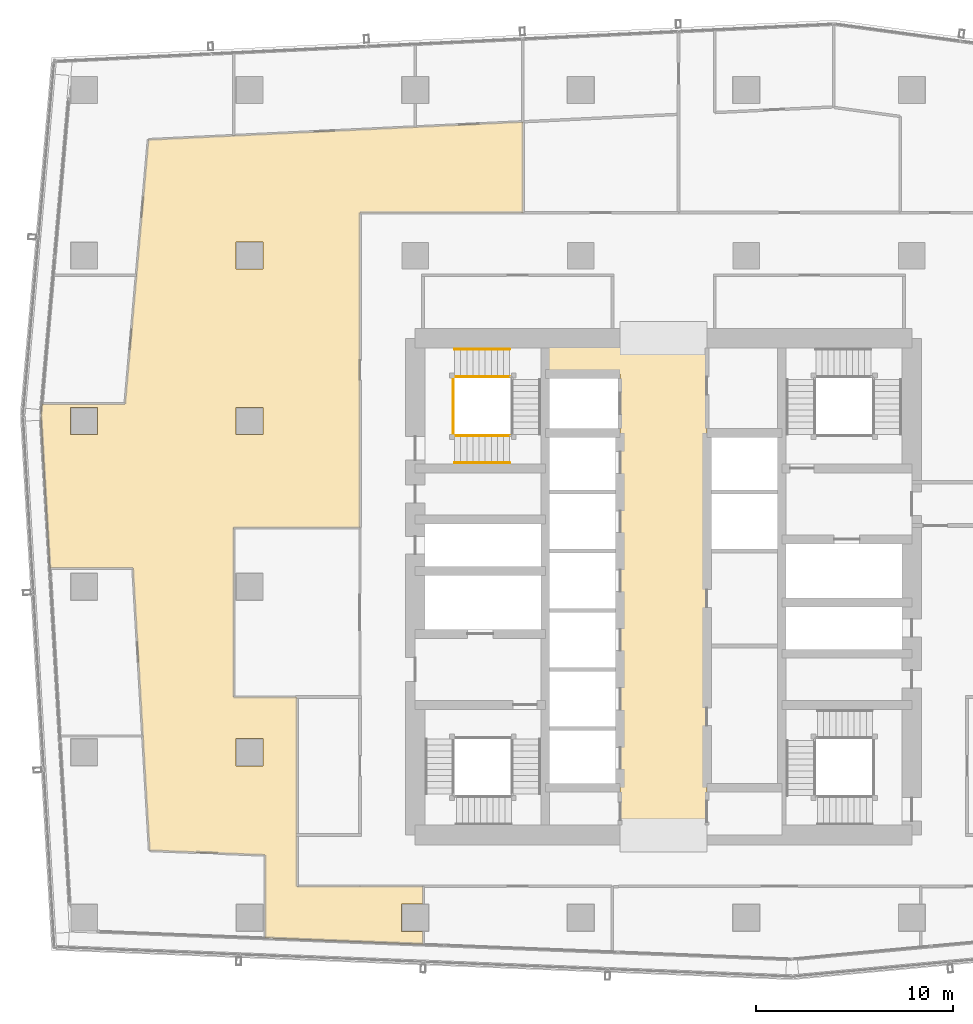
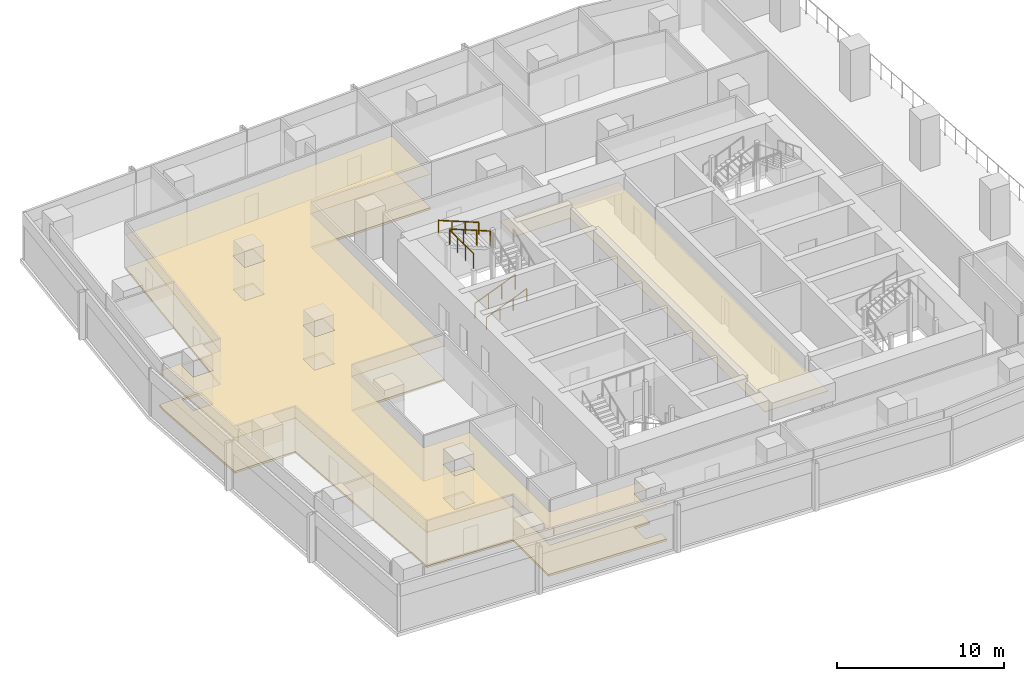
# One storey, part 29 of 33: 5 railings, 3 coverings.
"""IFC4 building model written with IfcOpenShell, lengths in metres."""

from ifc_helpers import new_model, si_unit, direction, frame, origin, origin_2d, place, context, subcontext, project, spatial, polyline, circle, outline, extrude, material, layer, layer_set, type_object, element, save


model = new_model("IFC4")

# Units and contexts
model_context = context("Model", 3, precision=1e-05, world=origin(), true_north=direction((0.0, 1.0)))
body_context = subcontext(model_context, "Body", "Model", "MODEL_VIEW")
ifc_project = project(units=[si_unit("LENGTHUNIT", "METRE"), si_unit("AREAUNIT", "SQUARE_METRE"), si_unit("VOLUMEUNIT", "CUBIC_METRE"), si_unit("PLANEANGLEUNIT", "RADIAN"), si_unit("MASSUNIT", "GRAM", prefix="KILO")], contexts=[model_context])

# Site, building, storey
site_placement = place(None, origin())
site = spatial("IfcSite", under=ifc_project, at=site_placement, CompositionType="ELEMENT")
building_placement = place(site_placement, origin())
building = spatial("IfcBuilding", under=site, at=building_placement, Name="Rekha Terrace Tower", CompositionType="ELEMENT")
storey_placement = place(building_placement, frame((0.0, 0.0, 206.449951171875)))
storey = spatial("IfcBuildingStorey", under=building, at=storey_placement, Name="L52", CompositionType="ELEMENT", Elevation=206.449951171875)

# Coverings
ifc_material_1 = material(Name="Mineral fibre tile in exposed grid", Category="finish")
ifc_layer_1 = layer(ifc_material_1, 0.02001953125)
ifc_layer_set_1 = layer_set([ifc_layer_1], Name="Mineral fibre tile in exposed grid")
covering_type_1 = type_object("IfcCoveringType", Name="CL1 600x1200 office grid ceiling", PredefinedType="CEILING", material=ifc_layer_set_1)
covering_1_placement = place(storey_placement, frame((0.0, 0.0, 2.580078125)))
element("IfcCovering", 1, at=covering_1_placement, inside=storey, type_object=covering_type_1, Name="Ceiling L52-O2", PredefinedType="CEILING", context=body_context, shape_type="SweptSolid", body=[
    extrude(outline(polyline([(11.662109375, 56.280029296875), (11.054931640625, 49.40087890625), (10.47900390625, 42.87109375), (6.261962890625, 42.87109375), (6.212890625, 42.31396484375), (6.6708984375, 34.535888671875), (10.8779296875, 34.535888671875), (11.3798828125, 26.008056640625), (11.720947265625, 20.216064453125), (17.5849609375, 19.98193359375), (17.5849609375, 15.779052734375), (25.60107421875, 15.458984375), (25.60107421875, 16.110107421875), (24.510009765625, 16.110107421875), (24.510009765625, 17.489990234375), (25.60107421875, 17.489990234375), (25.60107421875, 18.39990234375), (19.199951171875, 18.39990234375), (19.199951171875, 28.0), (15.989013671875, 28.0), (15.989013671875, 36.59912109375), (22.39990234375, 36.59912109375), (22.39990234375, 52.574951171875), (30.660888671875, 52.574951171875), (30.660888671875, 57.18798828125), (25.181884765625, 56.926025390625), (15.97412109375, 56.486083984375), (11.662109375, 56.280029296875)]), holes=[polyline([(17.489990234375, 24.510009765625), (16.110107421875, 24.510009765625), (16.110107421875, 25.889892578125), (17.489990234375, 25.889892578125), (17.489990234375, 24.510009765625)]), polyline([(17.489990234375, 42.68994140625), (17.489990234375, 41.31005859375), (16.110107421875, 41.31005859375), (16.110107421875, 42.68994140625), (17.489990234375, 42.68994140625)]), polyline([(17.489990234375, 51.090087890625), (17.489990234375, 49.7099609375), (16.110107421875, 49.7099609375), (16.110107421875, 51.090087890625), (17.489990234375, 51.090087890625)]), polyline([(9.090087890625, 41.31005859375), (7.7099609375, 41.31005859375), (7.7099609375, 42.68994140625), (9.090087890625, 42.68994140625), (9.090087890625, 41.31005859375)])]), origin(), (0.0, 0.0, 1.0), 0.02001953125),
])
ifc_material_2 = material(Name="Powder-coated aluminium pan", Category="aluminium")
ifc_layer_2 = layer(ifc_material_2, 0.030029296875)
ifc_layer_set_2 = layer_set([ifc_layer_2], Name="Powder-coated aluminium pan")
covering_type_2 = type_object("IfcCoveringType", Name="CL3 300x1200 metal pan ceiling", PredefinedType="CEILING", material=ifc_layer_set_2)
covering_2_placement = place(storey_placement, frame((0.0, 0.0, 2.570068359375)))
element("IfcCovering", 2, at=covering_2_placement, inside=storey, type_object=covering_type_2, Name="Ceiling L52-LOBBY", PredefinedType="CEILING", context=body_context, shape_type="SweptSolid", body=[
    extrude(outline(polyline([(35.60009765625, 44.39990234375), (35.60009765625, 21.0), (40.0, 21.0), (40.0, 46.199951171875), (31.800048828125, 46.199951171875), (31.800048828125, 44.39990234375), (35.60009765625, 44.39990234375)])), origin(), (0.0, 0.0, 1.0), 0.030029296875),
])

# Railings
ifc_material_3 = material(Name="Stainless steel balustrade", Category="steel")
railing_type_1 = type_object("IfcRailingType", Name="GR1 1100 stair guard", PredefinedType="GUARDRAIL", material=ifc_material_3)
railing_1_placement = place(storey_placement, frame((27.199951171875, 41.264892578125, 0.125)))
element("IfcRailing", 3, at=railing_1_placement, inside=storey, type_object=railing_type_1, Name="Guard ST4 L52 flight 1", PredefinedType="GUARDRAIL", context=body_context, shape_type="SweptSolid", body=[
    extrude(circle(Radius=0.02392578125, at=origin_2d()), frame((0.0, 0.0, 1.076171875), z_axis=(0.927443287984, 0.0, 0.373963831907), x_axis=(0.0, 1.0, 0.0)), (0.0, 0.0, 1.0), 3.00830078125),
    extrude(circle(Radius=0.02099609375, at=origin_2d()), origin(), (0.0, 0.0, 1.0), 1.052001953125),
    extrude(circle(Radius=0.02099609375, at=origin_2d()), frame((0.929931640625, 0.0, 0.375)), (0.0, 0.0, 1.0), 1.052001953125),
    extrude(circle(Radius=0.02099609375, at=origin_2d()), frame((1.860107421875, 0.0, 0.75)), (0.0, 0.0, 1.0), 1.052001953125),
    extrude(circle(Radius=0.02099609375, at=origin_2d()), frame((2.7900390625, 0.0, 1.125)), (0.0, 0.0, 1.0), 1.052001953125),
])
railing_2_placement = place(storey_placement, frame((29.989990234375, 44.260009765625, 2.625)))
element("IfcRailing", 4, at=railing_2_placement, inside=storey, type_object=railing_type_1, Name="Guard ST4 L52 flight 3", PredefinedType="GUARDRAIL", context=body_context, shape_type="SweptSolid", body=[
    extrude(circle(Radius=0.02392578125, at=origin_2d()), frame((0.0, 0.0, 1.076171875), z_axis=(-0.927443287984, 0.0, 0.373963831907), x_axis=(0.0, -1.0, 0.0)), (0.0, 0.0, 1.0), 3.00830078125),
    extrude(circle(Radius=0.02099609375, at=origin_2d()), origin(), (0.0, 0.0, 1.0), 1.052001953125),
    extrude(circle(Radius=0.02099609375, at=origin_2d()), frame((-0.929931640625, 0.0, 0.375)), (0.0, 0.0, 1.0), 1.052001953125),
    extrude(circle(Radius=0.02099609375, at=origin_2d()), frame((-1.860107421875, 0.0, 0.75)), (0.0, 0.0, 1.0), 1.052001953125),
    extrude(circle(Radius=0.02099609375, at=origin_2d()), frame((-2.7900390625, 0.0, 1.125)), (0.0, 0.0, 1.0), 1.052001953125),
])
railing_3_placement = place(storey_placement, frame((27.139892578125, 41.324951171875, 3.75)))
element("IfcRailing", 5, at=railing_3_placement, inside=storey, type_object=railing_type_1, Name="Guard ST4 L52 landing 4", PredefinedType="GUARDRAIL", context=body_context, shape_type="SweptSolid", body=[
    extrude(circle(Radius=0.02392578125, at=origin_2d()), frame((0.0, 0.0, 1.076171875), z_axis=(0.0, 1.0, 0.0), x_axis=(-1.0, 0.0, 0.0)), (0.0, 0.0, 1.0), 2.875),
    extrude(circle(Radius=0.02099609375, at=origin_2d()), origin(), (0.0, 0.0, 1.0), 1.052001953125),
    extrude(circle(Radius=0.02099609375, at=origin_2d()), frame((0.0, 0.958251953125, 0.0)), (0.0, 0.0, 1.0), 1.052001953125),
    extrude(circle(Radius=0.02099609375, at=origin_2d()), frame((0.0, 1.916748046875, 0.0)), (0.0, 0.0, 1.0), 1.052001953125),
    extrude(circle(Radius=0.02099609375, at=origin_2d()), frame((0.0, 2.875, 0.0)), (0.0, 0.0, 1.0), 1.052001953125),
])
ifc_material_4 = material(Name="Stainless steel tube", Category="steel")
railing_type_2 = type_object("IfcRailingType", Name="HR1 900 stair handrail", PredefinedType="HANDRAIL", material=ifc_material_4)
railing_4_placement = place(storey_placement, frame((27.199951171875, 39.885009765625, 0.125)))
element("IfcRailing", 6, at=railing_4_placement, inside=storey, type_object=railing_type_2, Name="Handrail ST4 L52 flight 1", PredefinedType="HANDRAIL", context=body_context, shape_type="SweptSolid", body=[
    extrude(circle(Radius=0.02392578125, at=origin_2d()), frame((0.0, 0.0, 0.8759765625), z_axis=(0.927443287984, 0.0, 0.373963831907), x_axis=(0.0, 1.0, 0.0)), (0.0, 0.0, 1.0), 3.00830078125),
    extrude(circle(Radius=0.02099609375, at=origin_2d()), origin(), (0.0, 0.0, 1.0), 0.851806640625),
    extrude(circle(Radius=0.02099609375, at=origin_2d()), frame((0.929931640625, 0.0, 0.375)), (0.0, 0.0, 1.0), 0.851806640625),
    extrude(circle(Radius=0.02099609375, at=origin_2d()), frame((1.860107421875, 0.0, 0.75)), (0.0, 0.0, 1.0), 0.851806640625),
    extrude(circle(Radius=0.02099609375, at=origin_2d()), frame((2.7900390625, 0.0, 1.125)), (0.0, 0.0, 1.0), 0.851806640625),
])
railing_5_placement = place(storey_placement, frame((29.989990234375, 45.639892578125, 2.625)))
element("IfcRailing", 7, at=railing_5_placement, inside=storey, type_object=railing_type_2, Name="Handrail ST4 L52 flight 3", PredefinedType="HANDRAIL", context=body_context, shape_type="SweptSolid", body=[
    extrude(circle(Radius=0.02392578125, at=origin_2d()), frame((0.0, 0.0, 0.8759765625), z_axis=(-0.927443287984, 0.0, 0.373963831907), x_axis=(0.0, -1.0, 0.0)), (0.0, 0.0, 1.0), 3.00830078125),
    extrude(circle(Radius=0.02099609375, at=origin_2d()), origin(), (0.0, 0.0, 1.0), 0.851806640625),
    extrude(circle(Radius=0.02099609375, at=origin_2d()), frame((-0.929931640625, 0.0, 0.375)), (0.0, 0.0, 1.0), 0.851806640625),
    extrude(circle(Radius=0.02099609375, at=origin_2d()), frame((-1.860107421875, 0.0, 0.75)), (0.0, 0.0, 1.0), 0.851806640625),
    extrude(circle(Radius=0.02099609375, at=origin_2d()), frame((-2.7900390625, 0.0, 1.125)), (0.0, 0.0, 1.0), 0.851806640625),
])

# Covering
ifc_material_5 = material(Name="Calcium sulphate panels on steel pedestals", Category="steel")
ifc_layer_3 = layer(ifc_material_5, 0.14990234375)
ifc_layer_set_3 = layer_set([ifc_layer_3], Name="Calcium sulphate panels on steel pedestals")
covering_type_3 = type_object("IfcCoveringType", Name="RF1 150 raised access floor", PredefinedType="FLOORING", material=ifc_layer_set_3)
covering_3_placement = place(storey_placement, origin())
element("IfcCovering", 8, at=covering_3_placement, inside=storey, type_object=covering_type_3, Name="Raised floor L52-O2", PredefinedType="FLOORING", context=body_context, shape_type="SweptSolid", body=[
    extrude(outline(polyline([(11.662109375, 56.280029296875), (11.054931640625, 49.40087890625), (10.47900390625, 42.87109375), (6.261962890625, 42.87109375), (6.212890625, 42.31396484375), (6.6708984375, 34.535888671875), (10.8779296875, 34.535888671875), (11.3798828125, 26.008056640625), (11.720947265625, 20.216064453125), (17.5849609375, 19.98193359375), (17.5849609375, 15.779052734375), (25.60107421875, 15.458984375), (25.60107421875, 16.110107421875), (24.510009765625, 16.110107421875), (24.510009765625, 17.489990234375), (25.60107421875, 17.489990234375), (25.60107421875, 18.39990234375), (19.199951171875, 18.39990234375), (19.199951171875, 28.0), (15.989013671875, 28.0), (15.989013671875, 36.59912109375), (22.39990234375, 36.59912109375), (22.39990234375, 52.574951171875), (30.660888671875, 52.574951171875), (30.660888671875, 57.18798828125), (25.181884765625, 56.926025390625), (15.97412109375, 56.486083984375), (11.662109375, 56.280029296875)]), holes=[polyline([(17.489990234375, 24.510009765625), (16.110107421875, 24.510009765625), (16.110107421875, 25.889892578125), (17.489990234375, 25.889892578125), (17.489990234375, 24.510009765625)]), polyline([(17.489990234375, 42.68994140625), (17.489990234375, 41.31005859375), (16.110107421875, 41.31005859375), (16.110107421875, 42.68994140625), (17.489990234375, 42.68994140625)]), polyline([(17.489990234375, 51.090087890625), (17.489990234375, 49.7099609375), (16.110107421875, 49.7099609375), (16.110107421875, 51.090087890625), (17.489990234375, 51.090087890625)]), polyline([(9.090087890625, 41.31005859375), (7.7099609375, 41.31005859375), (7.7099609375, 42.68994140625), (9.090087890625, 42.68994140625), (9.090087890625, 41.31005859375)])]), origin(), (0.0, 0.0, 1.0), 0.150146484375),
])

save(model, "model.ifc")
